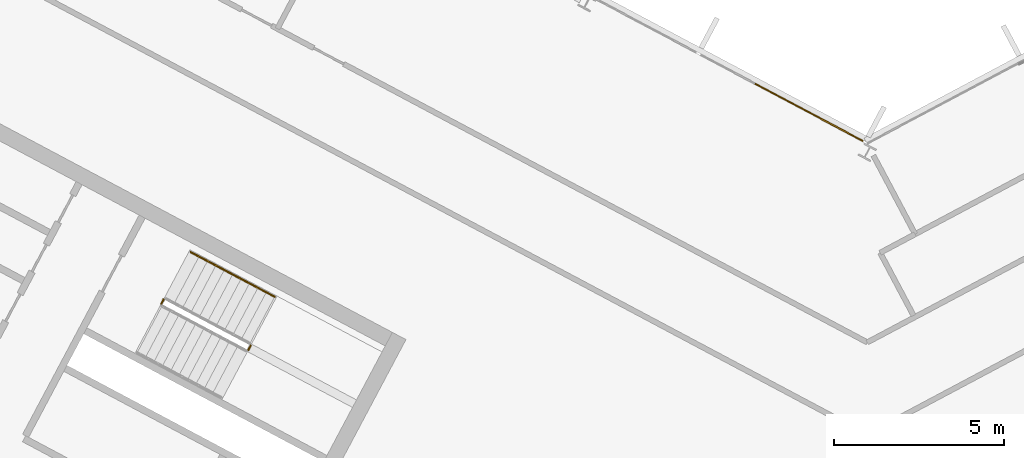
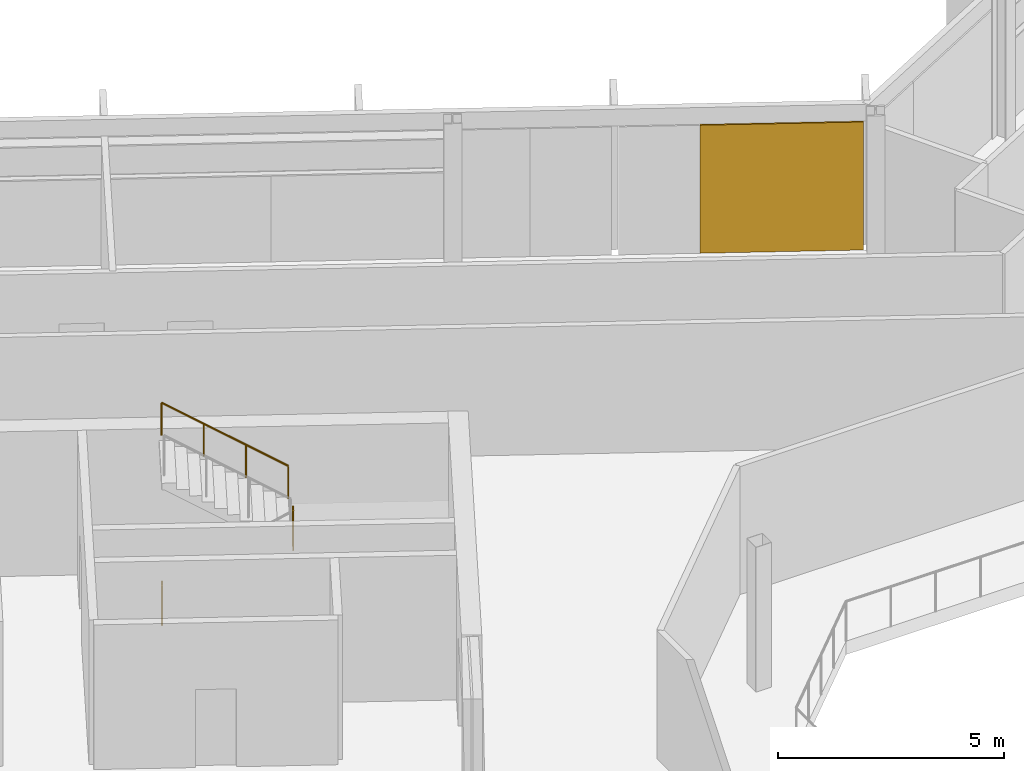
# One storey, part 23 of 26: 3 railings, 1 covering, 1 element without a shape of its own.
"""IFC4 building model written with IfcOpenShell, lengths in metres."""

from ifc_helpers import new_model, si_unit, direction, frame, origin, origin_2d, place, context, subcontext, project, spatial, polyline, rectangle, outline, extrude, material, layer, layer_set, type_object, element, aggregate, save


model = new_model("IFC4")

# Units and contexts
model_context = context("Model", 3, precision=1e-05, world=origin(), true_north=direction((0.0, 1.0)))
body_context = subcontext(model_context, "Body", "Model", "MODEL_VIEW")
ifc_project = project(units=[si_unit("LENGTHUNIT", "METRE"), si_unit("AREAUNIT", "SQUARE_METRE"), si_unit("VOLUMEUNIT", "CUBIC_METRE"), si_unit("PLANEANGLEUNIT", "RADIAN"), si_unit("MASSUNIT", "GRAM", prefix="KILO")], contexts=[model_context])

# Site, building, storey
site_placement = place(None, origin())
site = spatial("IfcSite", under=ifc_project, at=site_placement, CompositionType="ELEMENT")
building_placement = place(site_placement, origin())
building = spatial("IfcBuilding", under=site, at=building_placement, Name="Cormorant Relay Tower", CompositionType="ELEMENT")
storey_placement = place(building_placement, frame((0.0, 0.0, 316.5)))
storey = spatial("IfcBuildingStorey", under=building, at=storey_placement, Name="L72", CompositionType="ELEMENT", Elevation=316.5)

# Curtain wall, covering
ifc_material_1 = material(Name="Aluminium 6063-T6 anodised bronze", Category="aluminium")
ifc_layer_1 = layer(ifc_material_1, 0.199951171875)
ifc_layer_set_1 = layer_set([ifc_layer_1], Name="CW1 unitised bronze curtain wall with vertical fins")
curtain_wall_type = type_object("IfcCurtainWallType", Name="CW1 unitised bronze curtain wall with vertical fins", PredefinedType="NOTDEFINED", material=ifc_layer_set_1)
curtain_wall_placement = place(storey_placement, origin())
curtain_wall = element("IfcCurtainWall", 1, at=curtain_wall_placement, inside=storey, type_object=curtain_wall_type, Name="CW1 curtain wall 9", PredefinedType="NOTDEFINED")
ifc_material_2 = material(Name="Pale bronze anodised aluminium insulated panel", Category="aluminium")
ifc_layer_2 = layer(ifc_material_2, 0.0400390625)
ifc_layer_set_2 = layer_set([ifc_layer_2], Name="CW1 pale bronze insulated panel 40")
covering_type = type_object("IfcCoveringType", Name="CW1 pale bronze insulated panel 40", PredefinedType="CLADDING", material=ifc_layer_set_2)
covering_placement = place(storey_placement, frame((-1.718505859375, 24.720458984375, 0.0), z_axis=(0.0, 0.0, 1.0), x_axis=(-0.882947592859, 0.469471562786, 0.0)))
covering = element("IfcCovering", 2, at=covering_placement, type_object=covering_type, Name="CW1 panel S00", PredefinedType="CLADDING", context=body_context, shape_type="SweptSolid", body=[
    extrude(rectangle(XDim=3.614013671875, YDim=0.0400390625, at=origin_2d()), origin(), (0.0, 0.0, 1.0), 3.449951171875),
])
aggregate(curtain_wall, [covering])

# Railings
ifc_material_3 = material(Name="Steel ASTM A572 Grade 50 (Fy 345 MPa)", Category="steel")
railing_type_1 = type_object("IfcRailingType", Name="Stair guard 1100", PredefinedType="GUARDRAIL", material=ifc_material_3)
railing_1_placement = place(storey_placement, frame((-18.210693359375, 17.72412109375, 1.949951171875)))
element("IfcRailing", 3, at=railing_1_placement, inside=storey, type_object=railing_type_1, Name="L72 A1 stair guard 2", PredefinedType="GUARDRAIL", context=body_context, shape_type="SweptSolid", body=[
    extrude(outline(polyline([(0.022216796875, 0.00927734375), (0.00927734375, 0.022216796875), (-0.00927734375, 0.022216796875), (-0.022216796875, 0.00927734375), (-0.022216796875, -0.00927734375), (-0.00927734375, -0.022216796875), (0.00927734375, -0.022216796875), (0.022216796875, -0.00927734375), (0.022216796875, 0.00927734375)])), frame((0.0, 0.0, 1.076171875), z_axis=(0.470503732759, 0.882398003998, 0.0), x_axis=(-0.882398003998, 0.470503732759, 0.0)), (0.0, 0.0, 1.0), 0.14990234375),
    extrude(outline(polyline([(0.019287109375, 0.008056640625), (0.008056640625, 0.019287109375), (-0.008056640625, 0.019287109375), (-0.019287109375, 0.008056640625), (-0.019287109375, -0.008056640625), (-0.008056640625, -0.019287109375), (0.008056640625, -0.019287109375), (0.019287109375, -0.008056640625), (0.019287109375, 0.008056640625)])), origin(), (0.0, 0.0, 1.0), 1.052001953125),
    extrude(outline(polyline([(0.019287109375, 0.008056640625), (0.008056640625, 0.019287109375), (-0.008056640625, 0.019287109375), (-0.019287109375, 0.008056640625), (-0.019287109375, -0.008056640625), (-0.008056640625, -0.019287109375), (0.008056640625, -0.019287109375), (0.019287109375, -0.008056640625), (0.019287109375, 0.008056640625)])), frame((0.070556640625, 0.13232421875, 0.0)), (0.0, 0.0, 1.0), 1.052001953125),
])
railing_2_placement = place(storey_placement, frame((-20.771240234375, 19.08544921875, 0.0)))
element("IfcRailing", 4, at=railing_2_placement, inside=storey, type_object=railing_type_1, Name="L72 A1 stair guard 4", PredefinedType="GUARDRAIL", context=body_context, shape_type="SweptSolid", body=[
    extrude(outline(polyline([(0.022216796875, 0.00927734375), (0.00927734375, 0.022216796875), (-0.00927734375, 0.022216796875), (-0.022216796875, 0.00927734375), (-0.022216796875, -0.00927734375), (-0.00927734375, -0.022216796875), (0.00927734375, -0.022216796875), (0.022216796875, -0.00927734375), (0.022216796875, 0.00927734375)])), frame((0.0, 0.0, 1.076171875), z_axis=(0.469828648786, 0.882757634224, 0.0), x_axis=(-0.882757634224, 0.469828648786, 0.0)), (0.0, 0.0, 1.0), 0.150146484375),
    extrude(outline(polyline([(0.019287109375, 0.008056640625), (0.008056640625, 0.019287109375), (-0.008056640625, 0.019287109375), (-0.019287109375, 0.008056640625), (-0.019287109375, -0.008056640625), (-0.008056640625, -0.019287109375), (0.008056640625, -0.019287109375), (0.019287109375, -0.008056640625), (0.019287109375, 0.008056640625)])), origin(), (0.0, 0.0, 1.0), 1.052001953125),
    extrude(outline(polyline([(0.019287109375, 0.008056640625), (0.008056640625, 0.019287109375), (-0.008056640625, 0.019287109375), (-0.019287109375, 0.008056640625), (-0.019287109375, -0.008056640625), (-0.008056640625, -0.019287109375), (0.008056640625, -0.019287109375), (0.019287109375, -0.008056640625), (0.019287109375, 0.008056640625)])), frame((0.070556640625, 0.132568359375, 0.0)), (0.0, 0.0, 1.0), 1.052001953125),
])
ifc_material_4 = material(Name="Steel ASTM A572 Grade 50 (Fy 345 MPa)", Category="steel")
railing_type_2 = type_object("IfcRailingType", Name="Stair handrail 900", PredefinedType="HANDRAIL", material=ifc_material_4)
railing_3_placement = place(storey_placement, frame((-17.433349609375, 19.292724609375, 2.127197265625)))
element("IfcRailing", 5, at=railing_3_placement, inside=storey, type_object=railing_type_2, Name="L72 A1 stair handrail 2", PredefinedType="HANDRAIL", context=body_context, shape_type="SweptSolid", body=[
    extrude(outline(polyline([(0.022216796875, 0.00927734375), (0.00927734375, 0.022216796875), (-0.00927734375, 0.022216796875), (-0.022216796875, 0.00927734375), (-0.022216796875, -0.00927734375), (-0.00927734375, -0.022216796875), (0.00927734375, -0.022216796875), (0.022216796875, -0.00927734375), (0.022216796875, 0.00927734375)])), frame((0.0, 0.0, 0.8759765625), z_axis=(-0.746001213114, 0.396649272309, 0.534931345884), x_axis=(-0.469465464807, -0.882950835185, 0.0)), (0.0, 0.0, 1.0), 3.31396484375),
    extrude(outline(polyline([(0.019287109375, 0.008056640625), (0.008056640625, 0.019287109375), (-0.008056640625, 0.019287109375), (-0.019287109375, 0.008056640625), (-0.019287109375, -0.008056640625), (-0.008056640625, -0.019287109375), (0.008056640625, -0.019287109375), (0.019287109375, -0.008056640625), (0.019287109375, 0.008056640625)])), origin(), (0.0, 0.0, 1.0), 0.851806640625),
    extrude(outline(polyline([(0.019287109375, 0.008056640625), (0.008056640625, 0.019287109375), (-0.008056640625, 0.019287109375), (-0.019287109375, 0.008056640625), (-0.019287109375, -0.008056640625), (-0.008056640625, -0.019287109375), (0.008056640625, -0.019287109375), (0.019287109375, -0.008056640625), (0.019287109375, 0.008056640625)])), frame((-0.823974609375, 0.438232421875, 0.5908203125)), (0.0, 0.0, 1.0), 0.851806640625),
    extrude(outline(polyline([(0.019287109375, 0.008056640625), (0.008056640625, 0.019287109375), (-0.008056640625, 0.019287109375), (-0.019287109375, 0.008056640625), (-0.019287109375, -0.008056640625), (-0.008056640625, -0.019287109375), (0.008056640625, -0.019287109375), (0.019287109375, -0.008056640625), (0.019287109375, 0.008056640625)])), frame((-1.648193359375, 0.876220703125, 1.181884765625)), (0.0, 0.0, 1.0), 0.851806640625),
    extrude(outline(polyline([(0.019287109375, 0.008056640625), (0.008056640625, 0.019287109375), (-0.008056640625, 0.019287109375), (-0.019287109375, 0.008056640625), (-0.019287109375, -0.008056640625), (-0.008056640625, -0.019287109375), (0.008056640625, -0.019287109375), (0.019287109375, -0.008056640625), (0.019287109375, 0.008056640625)])), frame((-2.47216796875, 1.314453125, 1.772705078125)), (0.0, 0.0, 1.0), 0.851806640625),
])

save(model, "model.ifc")
